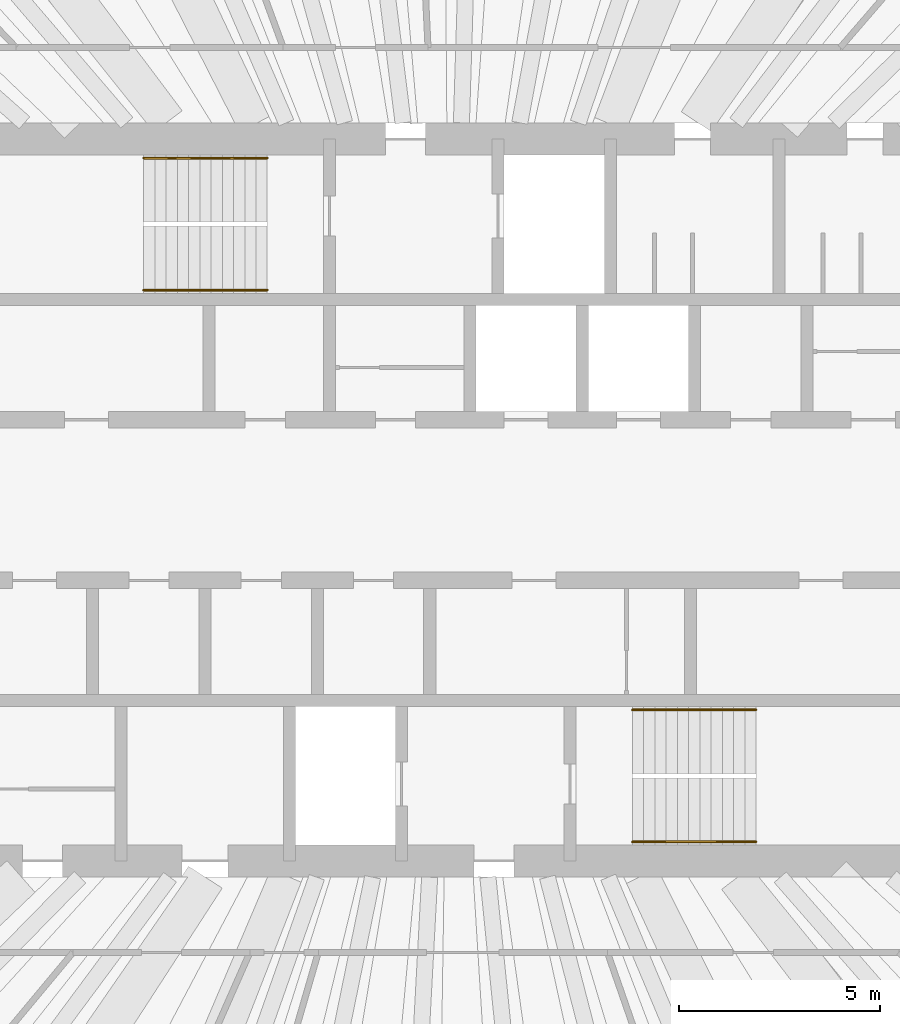
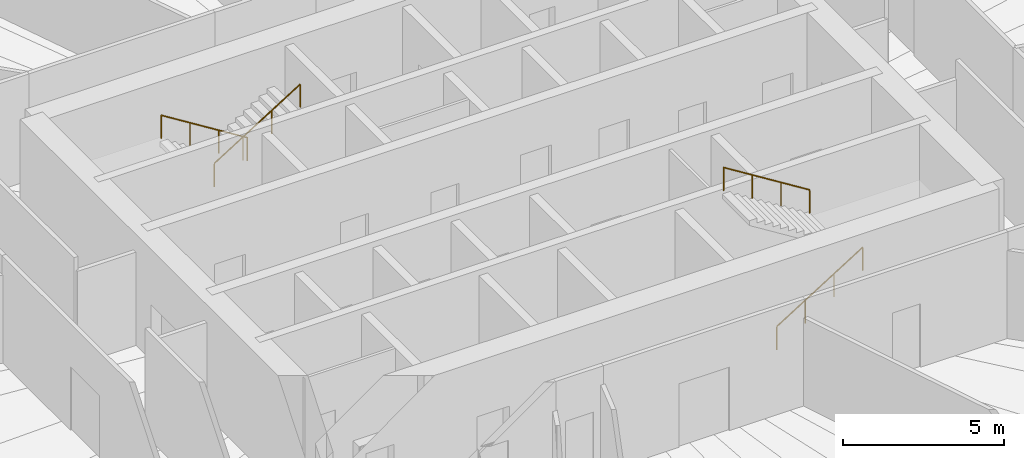
# One storey, part 14 of 14: 4 railings.
"""IFC4 building model written with IfcOpenShell, lengths in metres."""

from ifc_helpers import new_model, si_unit, direction, frame, origin, origin_2d, place, context, subcontext, project, spatial, circle, extrude, material, type_object, element, save


model = new_model("IFC4")

# Units and contexts
model_context = context("Model", 3, precision=1e-05, world=origin(), true_north=direction((0.0, 1.0)))
body_context = subcontext(model_context, "Body", "Model", "MODEL_VIEW")
ifc_project = project(units=[si_unit("LENGTHUNIT", "METRE"), si_unit("AREAUNIT", "SQUARE_METRE"), si_unit("VOLUMEUNIT", "CUBIC_METRE"), si_unit("PLANEANGLEUNIT", "RADIAN"), si_unit("MASSUNIT", "GRAM", prefix="KILO")], contexts=[model_context])

# Site, building, storey
site_placement = place(None, origin())
site = spatial("IfcSite", under=ifc_project, at=site_placement, CompositionType="ELEMENT")
building_placement = place(site_placement, origin())
building = spatial("IfcBuilding", under=site, at=building_placement, Name="Qingtian Harvest Tower", CompositionType="ELEMENT")
storey_placement = place(building_placement, frame((0.0, 0.0, 304.0)))
storey = spatial("IfcBuildingStorey", under=building, at=storey_placement, Name="L67", CompositionType="ELEMENT", Elevation=304.0)

# Railings
ifc_material = material(Name="Stainless steel handrail", Category="steel")
railing_type = type_object("IfcRailingType", Name="Handrail HR1", PredefinedType="HANDRAIL", material=ifc_material)
railing_1_placement = place(storey_placement, frame((-4.550048828125, 8.52001953125, 0.175048828125)))
element("IfcRailing", 1, at=railing_1_placement, inside=storey, type_object=railing_type, Name="Handrail HR1 S1 flight 1", PredefinedType="HANDRAIL", context=body_context, shape_type="SweptSolid", body=[
    extrude(circle(Radius=0.02392578125, at=origin_2d()), frame((0.0, 0.0, 0.8759765625), z_axis=(-0.847979421464, 0.0, 0.530029150871), x_axis=(0.0, -1.0, 0.0)), (0.0, 0.0, 1.0), 3.632080078125),
    extrude(circle(Radius=0.02099609375, at=origin_2d()), origin(), (0.0, 0.0, 1.0), 0.851806640625),
    extrude(circle(Radius=0.02099609375, at=origin_2d()), frame((-1.026611328125, 0.0, 0.6416015625)), (0.0, 0.0, 1.0), 0.851806640625),
    extrude(circle(Radius=0.02099609375, at=origin_2d()), frame((-2.05322265625, 0.0, 1.283447265625)), (0.0, 0.0, 1.0), 0.851806640625),
    extrude(circle(Radius=0.02099609375, at=origin_2d()), frame((-3.079833984375, 0.0, 1.925048828125)), (0.0, 0.0, 1.0), 0.851806640625),
])
for number, where, name in (
    (2, (-7.6298828125, 5.22998046875, 2.27490234375), "Handrail HR1 S1 flight 2"),
    (3, (4.550048828125, -8.52001953125, 0.175048828125), "Handrail HR1 S2 flight 1"),
):
    element("IfcRailing", number, at=place(storey_placement, frame(where)), inside=storey, type_object=railing_type, Name=name, PredefinedType="HANDRAIL", context=body_context, shape_type="SweptSolid", body=[
        extrude(circle(Radius=0.02392578125, at=origin_2d()), frame((0.0, 0.0, 0.8759765625), z_axis=(0.847979421464, 0.0, 0.530029150871), x_axis=(0.0, 1.0, 0.0)), (0.0, 0.0, 1.0), 3.632080078125),
        extrude(circle(Radius=0.02099609375, at=origin_2d()), origin(), (0.0, 0.0, 1.0), 0.851806640625),
        extrude(circle(Radius=0.02099609375, at=origin_2d()), frame((1.026611328125, 0.0, 0.6416015625)), (0.0, 0.0, 1.0), 0.851806640625),
        extrude(circle(Radius=0.02099609375, at=origin_2d()), frame((2.05322265625, 0.0, 1.283447265625)), (0.0, 0.0, 1.0), 0.851806640625),
        extrude(circle(Radius=0.02099609375, at=origin_2d()), frame((3.079833984375, 0.0, 1.925048828125)), (0.0, 0.0, 1.0), 0.851806640625),
    ])
railing_2_placement = place(storey_placement, frame((7.6298828125, -5.22998046875, 2.27490234375)))
element("IfcRailing", 4, at=railing_2_placement, inside=storey, type_object=railing_type, Name="Handrail HR1 S2 flight 2", PredefinedType="HANDRAIL", context=body_context, shape_type="SweptSolid", body=[
    extrude(circle(Radius=0.02392578125, at=origin_2d()), frame((0.0, 0.0, 0.8759765625), z_axis=(-0.847979421464, 0.0, 0.530029150871), x_axis=(0.0, -1.0, 0.0)), (0.0, 0.0, 1.0), 3.632080078125),
    extrude(circle(Radius=0.02099609375, at=origin_2d()), origin(), (0.0, 0.0, 1.0), 0.851806640625),
    extrude(circle(Radius=0.02099609375, at=origin_2d()), frame((-1.026611328125, 0.0, 0.6416015625)), (0.0, 0.0, 1.0), 0.851806640625),
    extrude(circle(Radius=0.02099609375, at=origin_2d()), frame((-2.05322265625, 0.0, 1.283447265625)), (0.0, 0.0, 1.0), 0.851806640625),
    extrude(circle(Radius=0.02099609375, at=origin_2d()), frame((-3.079833984375, 0.0, 1.925048828125)), (0.0, 0.0, 1.0), 0.851806640625),
])

save(model, "model.ifc")
